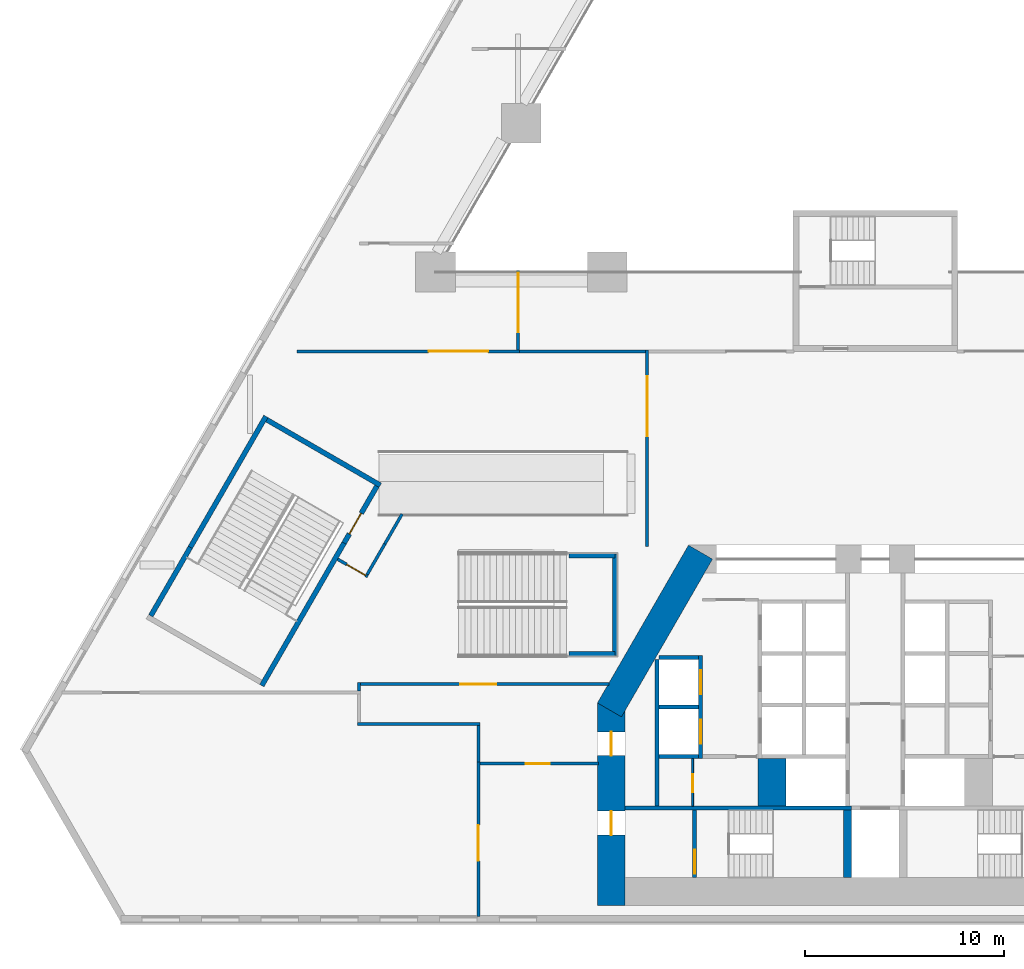
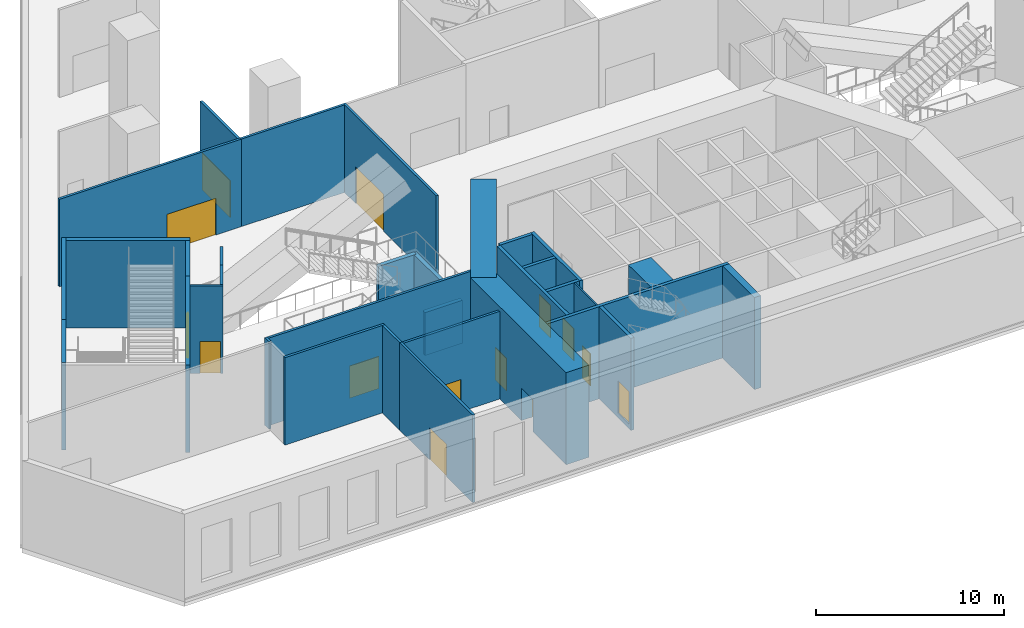
# One storey, part 2 of 16: 33 walls, 14 doors, 14 openings.
"""IFC4 building model written with IfcOpenShell, lengths in metres."""

from ifc_helpers import new_model, si_unit, direction, frame, frame_2d, origin, place, context, subcontext, project, spatial, rectangle, extrude, material, layer, layer_set, type_object, element, fill, save


model = new_model("IFC4")

# Units and contexts
model_context = context("Model", 3, precision=1e-05, world=origin(), true_north=direction((0.0, 1.0)))
body_context = subcontext(model_context, "Body", "Model", "MODEL_VIEW")
ifc_project = project(units=[si_unit("LENGTHUNIT", "METRE"), si_unit("AREAUNIT", "SQUARE_METRE"), si_unit("VOLUMEUNIT", "CUBIC_METRE"), si_unit("PLANEANGLEUNIT", "RADIAN"), si_unit("MASSUNIT", "GRAM", prefix="KILO")], contexts=[model_context])

# Site, building, storey
site_placement = place(None, origin())
site = spatial("IfcSite", under=ifc_project, at=site_placement, CompositionType="ELEMENT")
building_placement = place(site_placement, origin())
building = spatial("IfcBuilding", under=site, at=building_placement, Name="Fogline Exchange Tower", CompositionType="ELEMENT")
storey_placement = place(building_placement, frame((0.0, 0.0, 14.0)))
storey = spatial("IfcBuildingStorey", under=building, at=storey_placement, Name="L02", CompositionType="ELEMENT", Elevation=14.0)

# Wall, opening, door
ifc_material_1 = material(Name="Blockwork partition", Category="masonry")
ifc_layer_1 = layer(ifc_material_1, 0.10009765625)
ifc_layer_set_1 = layer_set([ifc_layer_1], Name="CW10")
wall_type_1 = type_object("IfcWallType", Name="CW10", PredefinedType="PARTITIONING", material=ifc_layer_set_1)
wall_1_placement = place(storey_placement, frame((-9.199951171875, 5.85009765625, 0.0), z_axis=(0.0, 0.0, 1.0), x_axis=(0.0, 1.0, 0.0)))
wall_1 = element("IfcWall", 1, at=wall_1_placement, inside=storey, type_object=wall_type_1, Name="WC partition", PredefinedType="PARTITIONING", context=body_context, shape_type="SweptSolid", body=[
    extrude(rectangle(XDim=2.39990234375, YDim=0.10009765625, at=frame_2d((1.199951171875, 0.0))), origin(), (0.0, 0.0, 1.0), 5.699951171875),
])
opening_1_placement = place(wall_1_placement, frame((0.699951171875, 0.0, 0.0)))
opening_1 = element("IfcOpeningElement", 2, at=opening_1_placement, cuts=wall_1, Name="Opening P02-C009", PredefinedType="OPENING", context=body_context, shape_type="SweptSolid", body=[
    extrude(rectangle(XDim=0.89990234375, YDim=2.10009765625, at=frame_2d((0.449951171875, 1.050048828125))), frame((0.0, 0.06005859375, 0.0), z_axis=(0.0, -1.0, 0.0), x_axis=(1.0, 0.0, 0.0)), (0.0, 0.0, 1.0), 0.1201171875),
])
ifc_material_2 = material(Name="Steel and timber fire door", Category="steel")
door_type_1 = type_object("IfcDoorType", Name="D-CS1", OperationType="SINGLE_SWING_RIGHT", PredefinedType="DOOR", material=ifc_material_2)
door_1_placement = place(opening_1_placement, origin())
door_1 = element("IfcDoor", 3, at=door_1_placement, inside=storey, type_object=door_type_1, Name="Door to Cleaner's Store", OperationType="SINGLE_SWING_LEFT", OverallHeight=2.10009765625, OverallWidth=0.89990234375, PredefinedType="DOOR", context=body_context, shape_type="SweptSolid", body=[
    extrude(rectangle(XDim=0.89990234375, YDim=2.10009765625, at=frame_2d((0.449951171875, 1.050048828125))), frame((0.0, 0.02490234375, 0.0), z_axis=(0.0, -1.0, 0.0), x_axis=(1.0, 0.0, 0.0)), (0.0, 0.0, 1.0), 0.050048828125),
])
fill(opening_1, door_1)

# Walls
ifc_material_3 = material(Name="Concrete C60", Category="concrete")
ifc_layer_2 = layer(ifc_material_3, 1.39990234375)
ifc_layer_set_2 = layer_set([ifc_layer_2], Name="CW140")
wall_type_2 = type_object("IfcWallType", Name="CW140", PredefinedType="SOLIDWALL", material=ifc_layer_set_2)
wall_2_placement = place(storey_placement, frame((-5.199951171875, 5.85009765625, -0.300048828125), z_axis=(0.0, 0.0, 1.0), x_axis=(0.0, 1.0, 0.0)))
element("IfcWall", 4, at=wall_2_placement, inside=storey, type_object=wall_type_2, Name="Lift shaft block wall", PredefinedType="SOLIDWALL", context=body_context, shape_type="SweptSolid", body=[
    extrude(rectangle(XDim=2.39990234375, YDim=1.39990234375, at=frame_2d((1.199951171875, 0.0))), origin(), (0.0, 0.0, 1.0), 6.0),
])
ifc_material_4 = material(Name="Concrete C40", Category="concrete")
ifc_layer_3 = layer(ifc_material_4, 0.199951171875)
ifc_layer_set_3 = layer_set([ifc_layer_3], Name="CW20")
wall_type_3 = type_object("IfcWallType", Name="CW20", PredefinedType="SOLIDWALL", material=ifc_layer_set_3)
wall_3_placement = place(storey_placement, frame((-11.0, 5.85009765625, 0.0), z_axis=(0.0, 0.0, 1.0), x_axis=(0.0, 1.0, 0.0)))
element("IfcWall", 5, at=wall_3_placement, inside=storey, type_object=wall_type_3, Name="Service room wall", PredefinedType="SOLIDWALL", context=body_context, shape_type="SweptSolid", body=[
    extrude(rectangle(XDim=7.39990234375, YDim=0.199951171875, at=frame_2d((3.699951171875, 0.0))), origin(), (0.0, 0.0, 1.0), 5.699951171875),
])
ifc_layer_4 = layer(ifc_material_4, 0.199951171875)
ifc_layer_set_4 = layer_set([ifc_layer_4], Name="CW20R")
wall_type_4 = type_object("IfcWallType", Name="CW20R", PredefinedType="SOLIDWALL", material=ifc_layer_set_4)
wall_4_placement = place(storey_placement, frame((-12.60009765625, 5.75, -0.300048828125), z_axis=(0.0, 0.0, 1.0), x_axis=(1.0, 0.0, 0.0)))
element("IfcWall", 6, at=wall_4_placement, inside=storey, type_object=wall_type_4, Name="Stair enclosure wall", PredefinedType="SOLIDWALL", context=body_context, shape_type="SweptSolid", body=[
    extrude(rectangle(XDim=11.400146484375, YDim=0.199951171875, at=frame_2d((5.7001953125, 0.0))), origin(), (0.0, 0.0, 1.0), 6.0),
])

# Wall, opening, door
wall_5_placement = place(storey_placement, frame((-9.10009765625, 2.25, -0.300048828125), z_axis=(0.0, 0.0, 1.0), x_axis=(0.0, 1.0, 0.0)))
wall_5 = element("IfcWall", 7, at=wall_5_placement, inside=storey, type_object=wall_type_4, Name="Stair enclosure wall", PredefinedType="SOLIDWALL", context=body_context, shape_type="SweptSolid", body=[
    extrude(rectangle(XDim=3.39990234375, YDim=0.199951171875, at=frame_2d((1.699951171875, 0.0))), origin(), (0.0, 0.0, 1.0), 6.0),
])
opening_2_placement = place(wall_5_placement, frame((0.199951171875, 0.0, 0.300048828125)))
opening_2 = element("IfcOpeningElement", 8, at=opening_2_placement, cuts=wall_5, Name="Opening P02-C011", PredefinedType="OPENING", context=body_context, shape_type="SweptSolid", body=[
    extrude(rectangle(XDim=1.199951171875, YDim=2.10009765625, at=frame_2d((0.60009765625, 1.050048828125))), frame((0.0, 0.10986328125, 0.0), z_axis=(0.0, -1.0, 0.0), x_axis=(1.0, 0.0, 0.0)), (0.0, 0.0, 1.0), 0.219970703125),
])
door_type_2 = type_object("IfcDoorType", Name="D-ST1", OperationType="SINGLE_SWING_LEFT", PredefinedType="DOOR", material=ifc_material_2)
door_2_placement = place(opening_2_placement, frame((1.199951171875, 0.0, 0.0), z_axis=(0.0, 0.0, 1.0), x_axis=(-1.0, 0.0, 0.0)))
door_2 = element("IfcDoor", 9, at=door_2_placement, inside=storey, type_object=door_type_2, Name="Stair door ST1", OperationType="SINGLE_SWING_RIGHT", OverallHeight=2.10009765625, OverallWidth=1.199951171875, PredefinedType="DOOR", context=body_context, shape_type="SweptSolid", body=[
    extrude(rectangle(XDim=1.199951171875, YDim=2.10009765625, at=frame_2d((0.60009765625, 1.050048828125))), frame((0.0, 0.02490234375, 0.0), z_axis=(0.0, -1.0, 0.0), x_axis=(1.0, 0.0, 0.0)), (0.0, 0.0, 1.0), 0.050048828125),
])
fill(opening_2, door_2)

# Wall, openings, doors
ifc_layer_5 = layer(ifc_material_4, 0.199951171875)
ifc_layer_set_5 = layer_set([ifc_layer_5], Name="CW20S")
wall_type_5 = type_object("IfcWallType", Name="CW20S", PredefinedType="SOLIDWALL", material=ifc_layer_set_5)
wall_6_placement = place(storey_placement, frame((-8.800048828125, 8.25, -0.300048828125), z_axis=(0.0, 0.0, 1.0), x_axis=(0.0, 1.0, 0.0)))
wall_6 = element("IfcWall", 10, at=wall_6_placement, inside=storey, type_object=wall_type_5, Name="Lift shaft wall", PredefinedType="SOLIDWALL", context=body_context, shape_type="SweptSolid", body=[
    extrude(rectangle(XDim=5.199951171875, YDim=0.199951171875, at=frame_2d((2.60009765625, 0.0))), origin(), (0.0, 0.0, 1.0), 6.0),
])
opening_3_placement = place(wall_6_placement, frame((0.75, 0.0, 0.300048828125)))
opening_3 = element("IfcOpeningElement", 11, at=opening_3_placement, cuts=wall_6, Name="Opening P02-LD01", PredefinedType="OPENING", context=body_context, shape_type="SweptSolid", body=[
    extrude(rectangle(XDim=1.199951171875, YDim=2.10009765625, at=frame_2d((0.60009765625, 1.050048828125))), frame((0.0, 0.10986328125, 0.0), z_axis=(0.0, -1.0, 0.0), x_axis=(1.0, 0.0, 0.0)), (0.0, 0.0, 1.0), 0.219970703125),
])
opening_4_placement = place(wall_6_placement, frame((3.25, 0.0, 0.300048828125)))
opening_4 = element("IfcOpeningElement", 12, at=opening_4_placement, cuts=wall_6, Name="Opening P02-LD02", PredefinedType="OPENING", context=body_context, shape_type="SweptSolid", body=[
    extrude(rectangle(XDim=1.199951171875, YDim=2.10009765625, at=frame_2d((0.60009765625, 1.050048828125))), frame((0.0, 0.10986328125, 0.0), z_axis=(0.0, -1.0, 0.0), x_axis=(1.0, 0.0, 0.0)), (0.0, 0.0, 1.0), 0.219970703125),
])
door_type_3 = type_object("IfcDoorType", Name="LD1", OperationType="SLIDING_TO_LEFT", PredefinedType="DOOR", material=ifc_material_2)
door_3_placement = place(opening_3_placement, origin())
door_3 = element("IfcDoor", 13, at=door_3_placement, inside=storey, type_object=door_type_3, Name="Landing door LR1", OperationType="SLIDING_TO_LEFT", OverallHeight=2.10009765625, OverallWidth=1.199951171875, PredefinedType="DOOR", context=body_context, shape_type="SweptSolid", body=[
    extrude(rectangle(XDim=1.199951171875, YDim=2.10009765625, at=frame_2d((0.60009765625, 1.050048828125))), frame((0.0, 0.02490234375, 0.0), z_axis=(0.0, -1.0, 0.0), x_axis=(1.0, 0.0, 0.0)), (0.0, 0.0, 1.0), 0.050048828125),
])
fill(opening_3, door_3)
door_4_placement = place(opening_4_placement, origin())
door_4 = element("IfcDoor", 14, at=door_4_placement, inside=storey, type_object=door_type_3, Name="Landing door LR2", OperationType="SLIDING_TO_LEFT", OverallHeight=2.10009765625, OverallWidth=1.199951171875, PredefinedType="DOOR", context=body_context, shape_type="SweptSolid", body=[
    extrude(rectangle(XDim=1.199951171875, YDim=2.10009765625, at=frame_2d((0.60009765625, 1.050048828125))), frame((0.0, 0.02490234375, 0.0), z_axis=(0.0, -1.0, 0.0), x_axis=(1.0, 0.0, 0.0)), (0.0, 0.0, 1.0), 0.050048828125),
])
fill(opening_4, door_4)

# Walls
for number, where, z_axis, x_axis, name in (
    (15, (-10.89990234375, 8.35009765625, -0.300048828125), (0.0, 0.0, 1.0), (1.0, 0.0, 0.0), "Lift shaft wall"),
    (16, (-10.89990234375, 10.85009765625, -0.300048828125), (0.0, 0.0, 1.0), (1.0, 0.0, 0.0), "Lift shaft wall"),
    (17, (-10.89990234375, 13.35009765625, -0.300048828125), (0.0, 0.0, 1.0), (1.0, 0.0, 0.0), "Lift shaft wall"),
):
    element("IfcWall", number, at=place(storey_placement, frame(where, z_axis=z_axis, x_axis=x_axis)), inside=storey, type_object=wall_type_5, Name=name, PredefinedType="SOLIDWALL", context=body_context, shape_type="SweptSolid", body=[
        extrude(rectangle(XDim=2.0, YDim=0.199951171875, at=frame_2d((1.0, 0.0))), origin(), (0.0, 0.0, 1.0), 6.0),
    ])
ifc_layer_6 = layer(ifc_material_4, 0.39990234375)
ifc_layer_set_6 = layer_set([ifc_layer_6], Name="CW40R")
wall_type_6 = type_object("IfcWallType", Name="CW40R", PredefinedType="SOLIDWALL", material=ifc_layer_set_6)
wall_7_placement = place(storey_placement, frame((-1.39990234375, 2.25, -0.300048828125), z_axis=(0.0, 0.0, 1.0), x_axis=(0.0, 1.0, 0.0)))
element("IfcWall", 18, at=wall_7_placement, inside=storey, type_object=wall_type_6, Name="Stair and lift shaft wall", PredefinedType="SOLIDWALL", context=body_context, shape_type="SweptSolid", body=[
    extrude(rectangle(XDim=3.39990234375, YDim=0.39990234375, at=frame_2d((1.699951171875, 0.0))), origin(), (0.0, 0.0, 1.0), 6.0),
])

# Wall, opening, door
ifc_material_5 = material(Name="Plasterboard on steel stud", Category="steel")
ifc_layer_7 = layer(ifc_material_5, 0.14990234375)
ifc_layer_set_7 = layer_set([ifc_layer_7], Name="PP1")
wall_type_7 = type_object("IfcWallType", Name="PP1", PredefinedType="PARTITIONING", material=ifc_layer_set_7)
wall_8_placement = place(storey_placement, frame((-19.925048828125, 8.0, 0.0), z_axis=(0.0, 0.0, 1.0), x_axis=(1.0, 0.0, 0.0)))
wall_8 = element("IfcWall", 19, at=wall_8_placement, inside=storey, type_object=wall_type_7, Name="PP1 partition", PredefinedType="PARTITIONING", context=body_context, shape_type="SweptSolid", body=[
    extrude(rectangle(XDim=5.969970703125, YDim=0.14990234375, at=frame_2d((2.98486328125, 0.0))), origin(), (0.0, 0.0, 1.0), 5.699951171875),
])
opening_5_placement = place(wall_8_placement, frame((2.324951171875, 0.0, 0.0)))
opening_5 = element("IfcOpeningElement", 20, at=opening_5_placement, cuts=wall_8, Name="Opening P02-D008", PredefinedType="OPENING", context=body_context, shape_type="SweptSolid", body=[
    extrude(rectangle(XDim=1.199951171875, YDim=2.10009765625, at=frame_2d((0.60009765625, 1.050048828125))), frame((0.0, 0.0849609375, 0.0), z_axis=(0.0, -1.0, 0.0), x_axis=(1.0, 0.0, 0.0)), (0.0, 0.0, 1.0), 0.169921875),
])
ifc_material_6 = material(Name="Steel Q235B", Category="steel")
door_type_4 = type_object("IfcDoorType", Name="PD7", OperationType="SINGLE_SWING_LEFT", PredefinedType="DOOR", material=ifc_material_6)
door_5_placement = place(opening_5_placement, origin())
door_5 = element("IfcDoor", 21, at=door_5_placement, inside=storey, type_object=door_type_4, Name="P02-D008", OperationType="SINGLE_SWING_LEFT", OverallHeight=2.10009765625, OverallWidth=1.199951171875, PredefinedType="DOOR", context=body_context, shape_type="SweptSolid", body=[
    extrude(rectangle(XDim=1.199951171875, YDim=2.10009765625, at=frame_2d((0.60009765625, 1.050048828125))), frame((0.0, 0.02490234375, 0.0), z_axis=(0.0, -1.0, 0.0), x_axis=(1.0, 0.0, 0.0)), (0.0, 0.0, 1.0), 0.050048828125),
])
fill(opening_5, door_5)

wall_9_placement = place(storey_placement, frame((-20.0, 8.074951171875, 0.0), z_axis=(0.0, 0.0, 1.0), x_axis=(0.0, -1.0, 0.0)))
wall_9 = element("IfcWall", 22, at=wall_9_placement, inside=storey, type_object=wall_type_7, Name="PP1 partition", PredefinedType="PARTITIONING", context=body_context, shape_type="SweptSolid", body=[
    extrude(rectangle(XDim=7.780029296875, YDim=0.14990234375, at=frame_2d((3.89013671875, 0.0))), origin(), (0.0, 0.0, 1.0), 5.699951171875),
])
opening_6_placement = place(wall_9_placement, frame((3.175048828125, 0.0, 0.0)))
opening_6 = element("IfcOpeningElement", 23, at=opening_6_placement, cuts=wall_9, Name="Opening P02-D013", PredefinedType="OPENING", context=body_context, shape_type="SweptSolid", body=[
    extrude(rectangle(XDim=1.800048828125, YDim=2.10009765625, at=frame_2d((0.89990234375, 1.050048828125))), frame((0.0, 0.0849609375, 0.0), z_axis=(0.0, -1.0, 0.0), x_axis=(1.0, 0.0, 0.0)), (0.0, 0.0, 1.0), 0.169921875),
])
ifc_material_7 = material(Name="Timber", Category="wood")
door_type_5 = type_object("IfcDoorType", Name="PD3", OperationType="DOUBLE_DOOR_SINGLE_SWING", PredefinedType="DOOR", material=ifc_material_7)
door_6_placement = place(opening_6_placement, frame((1.800048828125, 0.0, 0.0), z_axis=(0.0, 0.0, 1.0), x_axis=(-1.0, 0.0, 0.0)))
door_6 = element("IfcDoor", 24, at=door_6_placement, inside=storey, type_object=door_type_5, Name="P02-D013", OperationType="DOUBLE_DOOR_SINGLE_SWING", OverallHeight=2.10009765625, OverallWidth=1.800048828125, PredefinedType="DOOR", context=body_context, shape_type="SweptSolid", body=[
    extrude(rectangle(XDim=1.800048828125, YDim=2.10009765625, at=frame_2d((0.89990234375, 1.050048828125))), frame((0.0, 0.02490234375, 0.0), z_axis=(0.0, -1.0, 0.0), x_axis=(1.0, 0.0, 0.0)), (0.0, 0.0, 1.0), 0.050048828125),
])
fill(opening_6, door_6)

# Walls
wall_10_placement = place(storey_placement, frame((-20.0, 9.925048828125, 0.0), z_axis=(0.0, 0.0, 1.0), x_axis=(0.0, -1.0, 0.0)))
element("IfcWall", 25, at=wall_10_placement, inside=storey, type_object=wall_type_7, Name="PP1 partition", PredefinedType="PARTITIONING", context=body_context, shape_type="SweptSolid", body=[
    extrude(rectangle(XDim=1.85009765625, YDim=0.14990234375, at=frame_2d((0.925048828125, 0.0))), origin(), (0.0, 0.0, 1.0), 5.699951171875),
])
wall_11_placement = place(storey_placement, frame((-26.074951171875, 10.0, 0.0), z_axis=(0.0, 0.0, 1.0), x_axis=(1.0, 0.0, 0.0)))
element("IfcWall", 26, at=wall_11_placement, inside=storey, type_object=wall_type_7, Name="PP1 partition", PredefinedType="PARTITIONING", context=body_context, shape_type="SweptSolid", body=[
    extrude(rectangle(XDim=6.14990234375, YDim=0.14990234375, at=frame_2d((3.074951171875, 0.0))), origin(), (0.0, 0.0, 1.0), 5.699951171875),
])
wall_12_placement = place(storey_placement, frame((-26.0, 11.64501953125, 0.0), z_axis=(0.0, 0.0, 1.0), x_axis=(0.0, 1.0, 0.0)))
element("IfcWall", 27, at=wall_12_placement, inside=storey, type_object=wall_type_7, Name="PP1 partition", PredefinedType="PARTITIONING", context=body_context, shape_type="SweptSolid", body=[
    extrude(rectangle(XDim=0.429931640625, YDim=0.14990234375, at=frame_2d((0.21484375, 0.0))), origin(), (0.0, 0.0, 1.0), 5.699951171875),
])

# Wall, opening, door
wall_13_placement = place(storey_placement, frame((-25.925048828125, 12.0, 0.0), z_axis=(0.0, 0.0, 1.0), x_axis=(1.0, 0.0, 0.0)))
wall_13 = element("IfcWall", 28, at=wall_13_placement, inside=storey, type_object=wall_type_7, Name="PP1 partition", PredefinedType="PARTITIONING", context=body_context, shape_type="SweptSolid", body=[
    extrude(rectangle(XDim=12.512451171875, YDim=0.14990234375, at=frame_2d((6.25634765625, 0.0))), origin(), (0.0, 0.0, 1.0), 5.699951171875),
])
opening_7_placement = place(wall_13_placement, frame((5.02490234375, 0.0, 0.0)))
opening_7 = element("IfcOpeningElement", 29, at=opening_7_placement, cuts=wall_13, Name="Opening P02-D010", PredefinedType="OPENING", context=body_context, shape_type="SweptSolid", body=[
    extrude(rectangle(XDim=1.800048828125, YDim=2.10009765625, at=frame_2d((0.89990234375, 1.050048828125))), frame((0.0, 0.0849609375, 0.0), z_axis=(0.0, -1.0, 0.0), x_axis=(1.0, 0.0, 0.0)), (0.0, 0.0, 1.0), 0.169921875),
])
door_7_placement = place(opening_7_placement, frame((1.800048828125, 0.0, 0.0), z_axis=(0.0, 0.0, 1.0), x_axis=(-1.0, 0.0, 0.0)))
door_7 = element("IfcDoor", 30, at=door_7_placement, inside=storey, type_object=door_type_5, Name="P02-D010", OperationType="DOUBLE_DOOR_SINGLE_SWING", OverallHeight=2.10009765625, OverallWidth=1.800048828125, PredefinedType="DOOR", context=body_context, shape_type="SweptSolid", body=[
    extrude(rectangle(XDim=1.800048828125, YDim=2.10009765625, at=frame_2d((0.89990234375, 1.050048828125))), frame((0.0, 0.02490234375, 0.0), z_axis=(0.0, -1.0, 0.0), x_axis=(1.0, 0.0, 0.0)), (0.0, 0.0, 1.0), 0.050048828125),
])
fill(opening_7, door_7)

wall_14_placement = place(storey_placement, frame((-25.57080078125, 17.41943359375, 0.0), z_axis=(0.0, 0.0, 1.0), x_axis=(-0.866046247233, 0.49996389635, 0.0)))
wall_14 = element("IfcWall", 31, at=wall_14_placement, inside=storey, type_object=wall_type_7, Name="PP1 partition", PredefinedType="PARTITIONING", context=body_context, shape_type="SweptSolid", body=[
    extrude(rectangle(XDim=1.750732421875, YDim=0.14990234375, at=frame_2d((0.87548828125, 0.0))), origin(), (0.0, 0.0, 1.0), 5.699951171875),
])
opening_8_placement = place(wall_14_placement, frame((0.1201171875, 0.0, 0.0)))
opening_8 = element("IfcOpeningElement", 32, at=opening_8_placement, cuts=wall_14, Name="Opening P02-D003", PredefinedType="OPENING", context=body_context, shape_type="SweptSolid", body=[
    extrude(rectangle(XDim=1.10009765625, YDim=2.10009765625, at=frame_2d((0.550048828125, 1.050048828125))), frame((0.0, 0.0849609375, 0.0), z_axis=(0.0, -1.0, 0.0), x_axis=(1.0, 0.0, 0.0)), (0.0, 0.0, 1.0), 0.169921875),
])
door_type_6 = type_object("IfcDoorType", Name="PD5", OperationType="SINGLE_SWING_LEFT", PredefinedType="DOOR", material=ifc_material_6)
door_8_placement = place(opening_8_placement, origin())
door_8 = element("IfcDoor", 33, at=door_8_placement, inside=storey, type_object=door_type_6, Name="P02-D003", OperationType="SINGLE_SWING_LEFT", OverallHeight=2.10009765625, OverallWidth=1.10009765625, PredefinedType="DOOR", context=body_context, shape_type="SweptSolid", body=[
    extrude(rectangle(XDim=1.10009765625, YDim=2.10009765625, at=frame_2d((0.550048828125, 1.050048828125))), frame((0.0, 0.02490234375, 0.0), z_axis=(0.0, -1.0, 0.0), x_axis=(1.0, 0.0, 0.0)), (0.0, 0.0, 1.0), 0.050048828125),
])
fill(opening_8, door_8)

# Walls
wall_15_placement = place(storey_placement, frame((-24.707275390625, 19.06494140625, 0.0), z_axis=(0.0, 0.0, 1.0), x_axis=(-0.500058459303, -0.865991649659, 0.0)))
element("IfcWall", 34, at=wall_15_placement, inside=storey, type_object=wall_type_7, Name="PP1 partition", PredefinedType="PARTITIONING", context=body_context, shape_type="SweptSolid", body=[
    extrude(rectangle(XDim=1.781982421875, YDim=0.14990234375, at=frame_2d((0.89111328125, 0.0))), origin(), (0.0, 0.0, 1.0), 5.699951171875),
])
wall_16_placement = place(storey_placement, frame((-23.84130859375, 20.56494140625, 0.0), z_axis=(0.0, 0.0, 1.0), x_axis=(-0.500019299785, -0.866014260761, 0.0)))
element("IfcWall", 35, at=wall_16_placement, inside=storey, type_object=wall_type_7, Name="PP1 partition", PredefinedType="PARTITIONING", context=body_context, shape_type="SweptSolid", body=[
    extrude(rectangle(XDim=1.732421875, YDim=0.14990234375, at=frame_2d((0.8662109375, 0.0))), origin(), (0.0, 0.0, 1.0), 5.699951171875),
])

# Wall, opening, door
wall_17_placement = place(storey_placement, frame((-29.12646484375, 28.760009765625, 0.0), z_axis=(0.0, 0.0, 1.0), x_axis=(1.0, 0.0, 0.0)))
wall_17 = element("IfcWall", 36, at=wall_17_placement, inside=storey, type_object=wall_type_7, Name="PP1 partition", PredefinedType="PARTITIONING", context=body_context, shape_type="SweptSolid", body=[
    extrude(rectangle(XDim=11.201416015625, YDim=0.14990234375, at=frame_2d((5.6005859375, 0.0))), origin(), (0.0, 0.0, 1.0), 5.699951171875),
])
opening_9_placement = place(wall_17_placement, frame((6.62646484375, 0.0, 0.0)))
opening_9 = element("IfcOpeningElement", 37, at=opening_9_placement, cuts=wall_17, Name="Opening P02-D028", PredefinedType="OPENING", context=body_context, shape_type="SweptSolid", body=[
    extrude(rectangle(XDim=3.0, YDim=2.39990234375, at=frame_2d((1.5, 1.199951171875))), frame((0.0, 0.0849609375, 0.0), z_axis=(0.0, -1.0, 0.0), x_axis=(1.0, 0.0, 0.0)), (0.0, 0.0, 1.0), 0.169921875),
])
door_type_7 = type_object("IfcDoorType", Name="PD13", OperationType="DOUBLE_DOOR_SINGLE_SWING", PredefinedType="DOOR", material=ifc_material_6)
door_9_placement = place(opening_9_placement, origin())
door_9 = element("IfcDoor", 38, at=door_9_placement, inside=storey, type_object=door_type_7, Name="P02-D028", OperationType="DOUBLE_DOOR_SINGLE_SWING", OverallHeight=2.39990234375, OverallWidth=3.0, PredefinedType="DOOR", context=body_context, shape_type="SweptSolid", body=[
    extrude(rectangle(XDim=3.0, YDim=2.39990234375, at=frame_2d((1.5, 1.199951171875))), frame((0.0, 0.02490234375, 0.0), z_axis=(0.0, -1.0, 0.0), x_axis=(1.0, 0.0, 0.0)), (0.0, 0.0, 1.0), 0.050048828125),
])
fill(opening_9, door_9)

# Wall
wall_18_placement = place(storey_placement, frame((-17.925048828125, 28.760009765625, 0.0), z_axis=(0.0, 0.0, 1.0), x_axis=(1.0, 0.0, 0.0)))
element("IfcWall", 39, at=wall_18_placement, inside=storey, type_object=wall_type_7, Name="PP1 partition", PredefinedType="PARTITIONING", context=body_context, shape_type="SweptSolid", body=[
    extrude(rectangle(XDim=6.35009765625, YDim=0.14990234375, at=frame_2d((3.175048828125, 0.0))), origin(), (0.0, 0.0, 1.0), 5.699951171875),
])

# Wall, opening, door
wall_19_placement = place(storey_placement, frame((-11.5, 28.8349609375, 0.0), z_axis=(0.0, 0.0, 1.0), x_axis=(0.0, -1.0, 0.0)))
wall_19 = element("IfcWall", 40, at=wall_19_placement, inside=storey, type_object=wall_type_7, Name="PP1 partition", PredefinedType="PARTITIONING", context=body_context, shape_type="SweptSolid", body=[
    extrude(rectangle(XDim=9.909912109375, YDim=0.14990234375, at=frame_2d((4.955078125, 0.0))), origin(), (0.0, 0.0, 1.0), 5.699951171875),
])
opening_10_placement = place(wall_19_placement, frame((1.3349609375, 0.0, 0.0)))
opening_10 = element("IfcOpeningElement", 41, at=opening_10_placement, cuts=wall_19, Name="Opening P02-D018", PredefinedType="OPENING", context=body_context, shape_type="SweptSolid", body=[
    extrude(rectangle(XDim=3.0, YDim=2.39990234375, at=frame_2d((1.5, 1.199951171875))), frame((0.0, 0.0849609375, 0.0), z_axis=(0.0, -1.0, 0.0), x_axis=(1.0, 0.0, 0.0)), (0.0, 0.0, 1.0), 0.169921875),
])
door_10_placement = place(opening_10_placement, frame((3.0, 0.0, 0.0), z_axis=(0.0, 0.0, 1.0), x_axis=(-1.0, 0.0, 0.0)))
door_10 = element("IfcDoor", 42, at=door_10_placement, inside=storey, type_object=door_type_7, Name="P02-D018", OperationType="DOUBLE_DOOR_SINGLE_SWING", OverallHeight=2.39990234375, OverallWidth=3.0, PredefinedType="DOOR", context=body_context, shape_type="SweptSolid", body=[
    extrude(rectangle(XDim=3.0, YDim=2.39990234375, at=frame_2d((1.5, 1.199951171875))), frame((0.0, 0.02490234375, 0.0), z_axis=(0.0, -1.0, 0.0), x_axis=(1.0, 0.0, 0.0)), (0.0, 0.0, 1.0), 0.050048828125),
])
fill(opening_10, door_10)

wall_20_placement = place(storey_placement, frame((-18.0, 32.8349609375, 0.0), z_axis=(0.0, 0.0, 1.0), x_axis=(0.0, -1.0, 0.0)))
wall_20 = element("IfcWall", 43, at=wall_20_placement, inside=storey, type_object=wall_type_7, Name="PP1 partition", PredefinedType="PARTITIONING", context=body_context, shape_type="SweptSolid", body=[
    extrude(rectangle(XDim=4.0, YDim=0.14990234375, at=frame_2d((2.0, 0.0))), origin(), (0.0, 0.0, 1.0), 5.699951171875),
])
opening_11_placement = place(wall_20_placement, frame((0.1201171875, 0.0, 0.0)))
opening_11 = element("IfcOpeningElement", 44, at=opening_11_placement, cuts=wall_20, Name="Opening P02-D026", PredefinedType="OPENING", context=body_context, shape_type="SweptSolid", body=[
    extrude(rectangle(XDim=3.0, YDim=2.39990234375, at=frame_2d((1.5, 1.199951171875))), frame((0.0, 0.0849609375, 0.0), z_axis=(0.0, -1.0, 0.0), x_axis=(1.0, 0.0, 0.0)), (0.0, 0.0, 1.0), 0.169921875),
])
door_11_placement = place(opening_11_placement, frame((3.0, 0.0, 0.0), z_axis=(0.0, 0.0, 1.0), x_axis=(-1.0, 0.0, 0.0)))
door_11 = element("IfcDoor", 45, at=door_11_placement, inside=storey, type_object=door_type_7, Name="P02-D026", OperationType="DOUBLE_DOOR_SINGLE_SWING", OverallHeight=2.39990234375, OverallWidth=3.0, PredefinedType="DOOR", context=body_context, shape_type="SweptSolid", body=[
    extrude(rectangle(XDim=3.0, YDim=2.39990234375, at=frame_2d((1.5, 1.199951171875))), frame((0.0, 0.02490234375, 0.0), z_axis=(0.0, -1.0, 0.0), x_axis=(1.0, 0.0, 0.0)), (0.0, 0.0, 1.0), 0.050048828125),
])
fill(opening_11, door_11)

# Walls
ifc_layer_8 = layer(ifc_material_4, 0.25)
ifc_layer_set_8 = layer_set([ifc_layer_8], Name="PP3")
wall_type_8 = type_object("IfcWallType", Name="PP3", PredefinedType="SOLIDWALL", material=ifc_layer_set_8)
wall_21_placement = place(storey_placement, frame((-36.497802734375, 15.442626953125, 0.0), z_axis=(0.0, 0.0, 1.0), x_axis=(0.499989551455, 0.866031436171, 0.0)))
element("IfcWall", 46, at=wall_21_placement, inside=storey, type_object=wall_type_8, Name="PP3 bearing wall", PredefinedType="SOLIDWALL", context=body_context, shape_type="SweptSolid", body=[
    extrude(rectangle(XDim=3.982421875, YDim=0.25, at=frame_2d((1.9912109375, 0.0))), origin(), (0.0, 0.0, 1.0), 5.699951171875),
])
wall_22_placement = place(storey_placement, frame((-34.506591796875, 18.8916015625, 0.0), z_axis=(0.0, 0.0, 1.0), x_axis=(0.499958264338, 0.866049498539, 0.0)))
element("IfcWall", 47, at=wall_22_placement, inside=storey, type_object=wall_type_8, Name="PP3 bearing wall", PredefinedType="SOLIDWALL", context=body_context, shape_type="SweptSolid", body=[
    extrude(rectangle(XDim=7.617919921875, YDim=0.25, at=frame_2d((3.80908203125, 0.0))), origin(), (0.0, 0.0, 1.0), 5.699951171875),
])
wall_23_placement = place(storey_placement, frame((-26.7607421875, 19.1083984375, 0.0), z_axis=(0.0, 0.0, 1.0), x_axis=(-0.499979843709, -0.866037040711, 0.0)))
element("IfcWall", 48, at=wall_23_placement, inside=storey, type_object=wall_type_8, Name="PP3 bearing wall", PredefinedType="SOLIDWALL", context=body_context, shape_type="SweptSolid", body=[
    extrude(rectangle(XDim=8.292724609375, YDim=0.25, at=frame_2d((4.146484375, 0.0))), origin(), (0.0, 0.0, 1.0), 5.699951171875),
])

# Wall, opening, door
wall_24_placement = place(storey_placement, frame((-25.107177734375, 21.972412109375, 0.0), z_axis=(0.0, 0.0, 1.0), x_axis=(-0.500005757777, -0.866022079505, 0.0)))
wall_24 = element("IfcWall", 49, at=wall_24_placement, inside=storey, type_object=wall_type_8, Name="PP3 bearing wall", PredefinedType="SOLIDWALL", context=body_context, shape_type="SweptSolid", body=[
    extrude(rectangle(XDim=3.30712890625, YDim=0.25, at=frame_2d((1.653564453125, 0.0))), origin(), (0.0, 0.0, 1.0), 5.699951171875),
])
opening_12_placement = place(wall_24_placement, frame((1.574951171875, 0.0, 0.0)))
opening_12 = element("IfcOpeningElement", 50, at=opening_12_placement, cuts=wall_24, Name="Opening P02-D002", PredefinedType="OPENING", context=body_context, shape_type="SweptSolid", body=[
    extrude(rectangle(XDim=1.199951171875, YDim=2.10009765625, at=frame_2d((0.60009765625, 1.050048828125))), frame((0.0, 0.135009765625, 0.0), z_axis=(0.0, -1.0, 0.0), x_axis=(1.0, 0.0, 0.0)), (0.0, 0.0, 1.0), 0.27001953125),
])
door_12_placement = place(opening_12_placement, origin())
door_12 = element("IfcDoor", 51, at=door_12_placement, inside=storey, type_object=door_type_4, Name="P02-D002", OperationType="SINGLE_SWING_RIGHT", OverallHeight=2.10009765625, OverallWidth=1.199951171875, PredefinedType="DOOR", context=body_context, shape_type="SweptSolid", body=[
    extrude(rectangle(XDim=1.199951171875, YDim=2.10009765625, at=frame_2d((0.60009765625, 1.050048828125))), frame((0.0, 0.02490234375, 0.0), z_axis=(0.0, -1.0, 0.0), x_axis=(1.0, 0.0, 0.0)), (0.0, 0.0, 1.0), 0.050048828125),
])
fill(opening_12, door_12)

# Walls
wall_25_placement = place(storey_placement, frame((-30.652099609375, 25.318115234375, 0.0), z_axis=(0.0, 0.0, 1.0), x_axis=(0.866040211805, -0.499974350878, 0.0)))
element("IfcWall", 52, at=wall_25_placement, inside=storey, type_object=wall_type_8, Name="PP3 bearing wall", PredefinedType="SOLIDWALL", context=body_context, shape_type="SweptSolid", body=[
    extrude(rectangle(XDim=6.599853515625, YDim=0.25, at=frame_2d((3.2998046875, 0.0))), origin(), (0.0, 0.0, 1.0), 5.699951171875),
])
ifc_layer_9 = layer(ifc_material_4, 0.25)
ifc_layer_set_9 = layer_set([ifc_layer_9], Name="PP6")
wall_type_9 = type_object("IfcWallType", Name="PP6", PredefinedType="SOLIDWALL", material=ifc_layer_set_9)
wall_26_placement = place(storey_placement, frame((-13.125, 13.449951171875, 0.0), z_axis=(0.0, 0.0, 1.0), x_axis=(0.0, 1.0, 0.0)))
element("IfcWall", 53, at=wall_26_placement, inside=storey, type_object=wall_type_9, Name="PP6 bearing wall", PredefinedType="SOLIDWALL", context=body_context, shape_type="SweptSolid", body=[
    extrude(rectangle(XDim=5.10009765625, YDim=0.25, at=frame_2d((2.550048828125, 0.0))), origin(), (0.0, 0.0, 1.0), 2.800048828125),
])
for number, where, z_axis, x_axis, name in (
    (54, (-13.125, 13.52490234375, 0.0), (0.0, 0.0, 1.0), (-1.0, 0.0, 0.0), "PP6 bearing wall"),
    (55, (-13.125, 18.47509765625, 0.0), (0.0, 0.0, 1.0), (-1.0, 0.0, 0.0), "PP6 bearing wall"),
):
    element("IfcWall", number, at=place(storey_placement, frame(where, z_axis=z_axis, x_axis=x_axis)), inside=storey, type_object=wall_type_9, Name=name, PredefinedType="SOLIDWALL", context=body_context, shape_type="SweptSolid", body=[
        extrude(rectangle(XDim=2.31005859375, YDim=0.25, at=frame_2d((1.155029296875, 0.0))), origin(), (0.0, 0.0, 1.0), 2.800048828125),
    ])
ifc_layer_10 = layer(ifc_material_3, 1.39990234375)
ifc_layer_set_10 = layer_set([ifc_layer_10], Name="SW01")
wall_type_10 = type_object("IfcWallType", Name="SW01", PredefinedType="SHEAR", material=ifc_layer_set_10)
wall_27_placement = place(storey_placement, frame((-8.805419921875, 18.64990234375, 0.0), z_axis=(0.0, 0.0, 1.0), x_axis=(-0.50000187635, -0.866024320471, 0.0)))
element("IfcWall", 56, at=wall_27_placement, inside=storey, type_object=wall_type_10, Name="L02-W905", PredefinedType="SHEAR", context=body_context, shape_type="SweptSolid", body=[
    extrude(rectangle(XDim=9.1767578125, YDim=1.39990234375, at=frame_2d((4.58837890625, 0.0))), origin(), (0.0, 0.0, 1.0), 6.0),
])

# Wall, openings, doors
wall_28_placement = place(storey_placement, frame((-13.300048828125, 11.052490234375, 0.0), z_axis=(0.0, 0.0, 1.0), x_axis=(0.0, -1.0, 0.0)))
wall_28 = element("IfcWall", 57, at=wall_28_placement, inside=storey, type_object=wall_type_10, Name="L02-W906", PredefinedType="SHEAR", context=body_context, shape_type="SweptSolid", body=[
    extrude(rectangle(XDim=10.202392578125, YDim=1.39990234375, at=frame_2d((5.10107421875, 0.0))), origin(), (0.0, 0.0, 1.0), 6.0),
])
opening_13_placement = place(wall_28_placement, frame((5.45263671875, 0.0, 0.0)))
opening_13 = element("IfcOpeningElement", 58, at=opening_13_placement, cuts=wall_28, Name="Opening P02-C010", PredefinedType="OPENING", context=body_context, shape_type="SweptSolid", body=[
    extrude(rectangle(XDim=1.199951171875, YDim=2.10009765625, at=frame_2d((0.60009765625, 1.050048828125))), frame((0.0, 0.7099609375, 0.0), z_axis=(0.0, -1.0, 0.0), x_axis=(1.0, 0.0, 0.0)), (0.0, 0.0, 1.0), 1.419921875),
])
opening_14_placement = place(wall_28_placement, frame((1.45263671875, 0.0, 0.0)))
opening_14 = element("IfcOpeningElement", 59, at=opening_14_placement, cuts=wall_28, Name="Opening P02-C012", PredefinedType="OPENING", context=body_context, shape_type="SweptSolid", body=[
    extrude(rectangle(XDim=1.199951171875, YDim=2.10009765625, at=frame_2d((0.60009765625, 1.050048828125))), frame((0.0, 0.7099609375, 0.0), z_axis=(0.0, -1.0, 0.0), x_axis=(1.0, 0.0, 0.0)), (0.0, 0.0, 1.0), 1.419921875),
])
door_type_8 = type_object("IfcDoorType", Name="D-FR1", OperationType="SINGLE_SWING_RIGHT", PredefinedType="DOOR", material=ifc_material_2)
door_13_placement = place(opening_13_placement, origin())
door_13 = element("IfcDoor", 60, at=door_13_placement, inside=storey, type_object=door_type_8, Name="Front room door ST1", OperationType="SINGLE_SWING_LEFT", OverallHeight=2.10009765625, OverallWidth=1.199951171875, PredefinedType="DOOR", context=body_context, shape_type="SweptSolid", body=[
    extrude(rectangle(XDim=1.199951171875, YDim=2.10009765625, at=frame_2d((0.60009765625, 1.050048828125))), frame((0.0, 0.02490234375, 0.0), z_axis=(0.0, -1.0, 0.0), x_axis=(1.0, 0.0, 0.0)), (0.0, 0.0, 1.0), 0.050048828125),
])
fill(opening_13, door_13)
door_type_9 = type_object("IfcDoorType", Name="D-SV1", OperationType="SINGLE_SWING_LEFT", PredefinedType="DOOR", material=ifc_material_2)
door_14_placement = place(opening_14_placement, origin())
door_14 = element("IfcDoor", 61, at=door_14_placement, inside=storey, type_object=door_type_9, Name="Service door W", OperationType="SINGLE_SWING_LEFT", OverallHeight=2.10009765625, OverallWidth=1.199951171875, PredefinedType="DOOR", context=body_context, shape_type="SweptSolid", body=[
    extrude(rectangle(XDim=1.199951171875, YDim=2.10009765625, at=frame_2d((0.60009765625, 1.050048828125))), frame((0.0, 0.02490234375, 0.0), z_axis=(0.0, -1.0, 0.0), x_axis=(1.0, 0.0, 0.0)), (0.0, 0.0, 1.0), 0.050048828125),
])
fill(opening_14, door_14)

save(model, "model.ifc")
